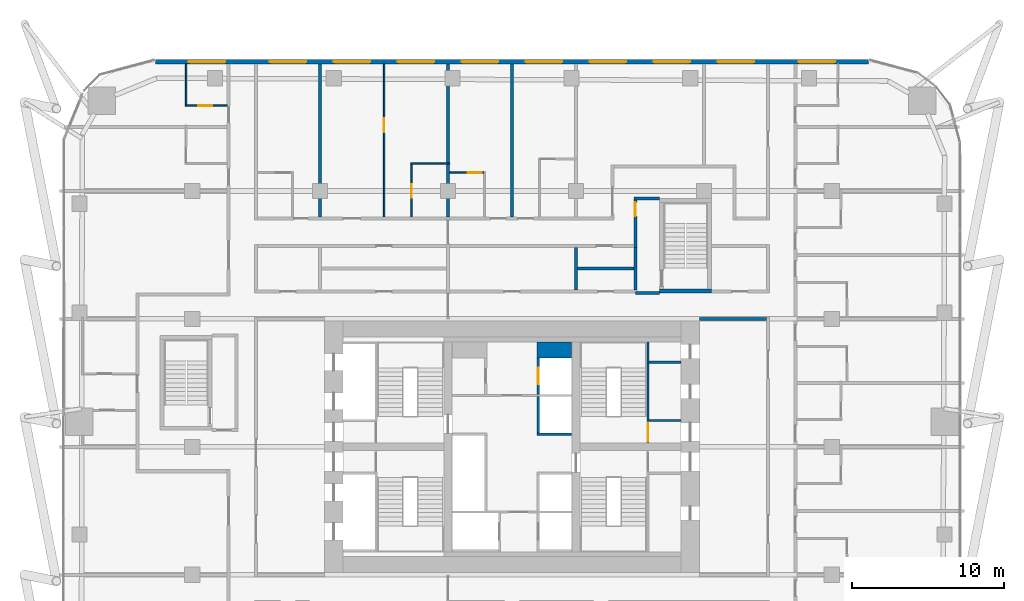
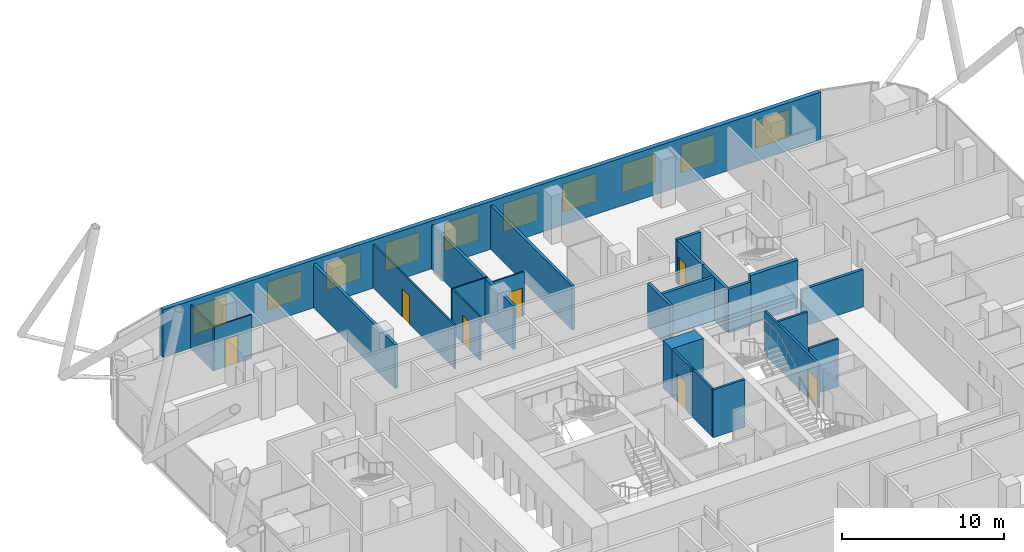
# One storey, part 33 of 36: 25 walls, 10 windows, 7 doors, 17 openings.
"""IFC4 building model written with IfcOpenShell, lengths in metres."""

from ifc_helpers import new_model, si_unit, direction, frame, frame_2d, origin, place, context, subcontext, project, spatial, rectangle, extrude, material, layer, layer_set, type_object, element, fill, save


model = new_model("IFC4")

# Units and contexts
model_context = context("Model", 3, precision=1e-05, world=origin(), true_north=direction((0.0, 1.0)))
body_context = subcontext(model_context, "Body", "Model", "MODEL_VIEW")
ifc_project = project(units=[si_unit("LENGTHUNIT", "METRE"), si_unit("AREAUNIT", "SQUARE_METRE"), si_unit("VOLUMEUNIT", "CUBIC_METRE"), si_unit("PLANEANGLEUNIT", "RADIAN"), si_unit("MASSUNIT", "GRAM", prefix="KILO")], contexts=[model_context])

# Site, building, storey
site_placement = place(None, origin())
site = spatial("IfcSite", under=ifc_project, at=site_placement, CompositionType="ELEMENT")
building_placement = place(site_placement, origin())
building = spatial("IfcBuilding", under=site, at=building_placement, Name="Marenta Gate Hotel Tower", CompositionType="ELEMENT")
storey_placement = place(building_placement, frame((0.0, 0.0, 83.300048828125)))
storey = spatial("IfcBuildingStorey", under=building, at=storey_placement, Name="L19", CompositionType="ELEMENT", Elevation=83.300048828125)

# Wall, openings, windows
ifc_material_1 = material(Name="Concrete C40 board-marked", Category="concrete")
ifc_layer_1 = layer(ifc_material_1, 0.300048828125)
ifc_layer_set_1 = layer_set([ifc_layer_1], Name="Concrete C40 board-marked")
wall_type_1 = type_object("IfcWallType", Name="Board-marked concrete wall 300 mm", PredefinedType="NOTDEFINED", material=ifc_layer_set_1)
wall_1_placement = place(storey_placement, frame((23.406005859375, 33.68994140625, 0.0), z_axis=(0.0, 0.0, 1.0), x_axis=(-1.0, 0.0, 0.0)))
wall_1 = element("IfcWall", 1, at=wall_1_placement, inside=storey, type_object=wall_type_1, Name="L19-CLD-N00", PredefinedType="NOTDEFINED", context=body_context, shape_type="SweptSolid", body=[
    extrude(rectangle(XDim=46.81201171875, YDim=0.300048828125, at=frame_2d((23.406005859375, 0.0))), origin(), (0.0, 0.0, 1.0), 3.599853515625),
])
opening_1_placement = place(wall_1_placement, frame((2.185791015625, 0.0, 0.89990234375)))
opening_1 = element("IfcOpeningElement", 2, at=opening_1_placement, cuts=wall_1, Name="Opening W1", PredefinedType="OPENING", context=body_context, shape_type="SweptSolid", body=[
    extrude(rectangle(XDim=2.39990234375, YDim=2.10009765625, at=frame_2d((1.199951171875, 1.050048828125))), frame((0.0, 0.14990234375, 0.0), z_axis=(0.0, -1.0, 0.0), x_axis=(1.0, 0.0, 0.0)), (0.0, 0.0, 1.0), 0.300048828125),
])
opening_2_placement = place(wall_1_placement, frame((7.505859375, 0.0, 0.89990234375)))
opening_2 = element("IfcOpeningElement", 3, at=opening_2_placement, cuts=wall_1, Name="Opening W1", PredefinedType="OPENING", context=body_context, shape_type="SweptSolid", body=[
    extrude(rectangle(XDim=2.39990234375, YDim=2.10009765625, at=frame_2d((1.199951171875, 1.050048828125))), frame((0.0, 0.14990234375, 0.0), z_axis=(0.0, -1.0, 0.0), x_axis=(1.0, 0.0, 0.0)), (0.0, 0.0, 1.0), 0.300048828125),
])
opening_3_placement = place(wall_1_placement, frame((11.705810546875, 0.0, 0.89990234375)))
opening_3 = element("IfcOpeningElement", 4, at=opening_3_placement, cuts=wall_1, Name="Opening W1", PredefinedType="OPENING", context=body_context, shape_type="SweptSolid", body=[
    extrude(rectangle(XDim=2.39990234375, YDim=2.10009765625, at=frame_2d((1.199951171875, 1.050048828125))), frame((0.0, 0.14990234375, 0.0), z_axis=(0.0, -1.0, 0.0), x_axis=(1.0, 0.0, 0.0)), (0.0, 0.0, 1.0), 0.300048828125),
])
opening_4_placement = place(wall_1_placement, frame((15.906005859375, 0.0, 0.89990234375)))
opening_4 = element("IfcOpeningElement", 5, at=opening_4_placement, cuts=wall_1, Name="Opening W1", PredefinedType="OPENING", context=body_context, shape_type="SweptSolid", body=[
    extrude(rectangle(XDim=2.39990234375, YDim=2.10009765625, at=frame_2d((1.199951171875, 1.050048828125))), frame((0.0, 0.14990234375, 0.0), z_axis=(0.0, -1.0, 0.0), x_axis=(1.0, 0.0, 0.0)), (0.0, 0.0, 1.0), 0.300048828125),
])
opening_5_placement = place(wall_1_placement, frame((20.10595703125, 0.0, 0.89990234375)))
opening_5 = element("IfcOpeningElement", 6, at=opening_5_placement, cuts=wall_1, Name="Opening W1", PredefinedType="OPENING", context=body_context, shape_type="SweptSolid", body=[
    extrude(rectangle(XDim=2.39990234375, YDim=2.10009765625, at=frame_2d((1.199951171875, 1.050048828125))), frame((0.0, 0.14990234375, 0.0), z_axis=(0.0, -1.0, 0.0), x_axis=(1.0, 0.0, 0.0)), (0.0, 0.0, 1.0), 0.300048828125),
])
opening_6_placement = place(wall_1_placement, frame((24.305908203125, 0.0, 0.89990234375)))
opening_6 = element("IfcOpeningElement", 7, at=opening_6_placement, cuts=wall_1, Name="Opening W1", PredefinedType="OPENING", context=body_context, shape_type="SweptSolid", body=[
    extrude(rectangle(XDim=2.39990234375, YDim=2.10009765625, at=frame_2d((1.199951171875, 1.050048828125))), frame((0.0, 0.14990234375, 0.0), z_axis=(0.0, -1.0, 0.0), x_axis=(1.0, 0.0, 0.0)), (0.0, 0.0, 1.0), 0.300048828125),
])
opening_7_placement = place(wall_1_placement, frame((28.505859375, 0.0, 0.89990234375)))
opening_7 = element("IfcOpeningElement", 8, at=opening_7_placement, cuts=wall_1, Name="Opening W1", PredefinedType="OPENING", context=body_context, shape_type="SweptSolid", body=[
    extrude(rectangle(XDim=2.39990234375, YDim=2.10009765625, at=frame_2d((1.199951171875, 1.050048828125))), frame((0.0, 0.14990234375, 0.0), z_axis=(0.0, -1.0, 0.0), x_axis=(1.0, 0.0, 0.0)), (0.0, 0.0, 1.0), 0.300048828125),
])
opening_8_placement = place(wall_1_placement, frame((32.705810546875, 0.0, 0.89990234375)))
opening_8 = element("IfcOpeningElement", 9, at=opening_8_placement, cuts=wall_1, Name="Opening W1", PredefinedType="OPENING", context=body_context, shape_type="SweptSolid", body=[
    extrude(rectangle(XDim=2.39990234375, YDim=2.10009765625, at=frame_2d((1.199951171875, 1.050048828125))), frame((0.0, 0.14990234375, 0.0), z_axis=(0.0, -1.0, 0.0), x_axis=(1.0, 0.0, 0.0)), (0.0, 0.0, 1.0), 0.300048828125),
])
opening_9_placement = place(wall_1_placement, frame((36.906005859375, 0.0, 0.89990234375)))
opening_9 = element("IfcOpeningElement", 10, at=opening_9_placement, cuts=wall_1, Name="Opening W1", PredefinedType="OPENING", context=body_context, shape_type="SweptSolid", body=[
    extrude(rectangle(XDim=2.39990234375, YDim=2.10009765625, at=frame_2d((1.199951171875, 1.050048828125))), frame((0.0, 0.14990234375, 0.0), z_axis=(0.0, -1.0, 0.0), x_axis=(1.0, 0.0, 0.0)), (0.0, 0.0, 1.0), 0.300048828125),
])
opening_10_placement = place(wall_1_placement, frame((42.225830078125, 0.0, 0.89990234375)))
opening_10 = element("IfcOpeningElement", 11, at=opening_10_placement, cuts=wall_1, Name="Opening W1", PredefinedType="OPENING", context=body_context, shape_type="SweptSolid", body=[
    extrude(rectangle(XDim=2.39990234375, YDim=2.10009765625, at=frame_2d((1.199951171875, 1.050048828125))), frame((0.0, 0.14990234375, 0.0), z_axis=(0.0, -1.0, 0.0), x_axis=(1.0, 0.0, 0.0)), (0.0, 0.0, 1.0), 0.300048828125),
])
ifc_material_2 = material(Name="Tinted insulated glass in bronze anodised frame", Category="glass")
window_type = type_object("IfcWindowType", Name="Window W1 2400x2100 bronze frame", PartitioningType="SINGLE_PANEL", PredefinedType="WINDOW", material=ifc_material_2)
window_1_placement = place(opening_1_placement, origin())
window_1 = element("IfcWindow", 12, at=window_1_placement, inside=storey, type_object=window_type, Name="Window W1", OverallHeight=2.10009765625, OverallWidth=2.39990234375, PartitioningType="SINGLE_PANEL", PredefinedType="WINDOW", context=body_context, shape_type="SweptSolid", body=[
    extrude(rectangle(XDim=2.39990234375, YDim=2.10009765625, at=frame_2d((1.199951171875, 1.050048828125))), frame((0.0, 0.030029296875, 0.0), z_axis=(0.0, -1.0, 0.0), x_axis=(1.0, 0.0, 0.0)), (0.0, 0.0, 1.0), 0.06005859375),
])
fill(opening_1, window_1)
window_2_placement = place(opening_2_placement, origin())
window_2 = element("IfcWindow", 13, at=window_2_placement, inside=storey, type_object=window_type, Name="Window W1", OverallHeight=2.10009765625, OverallWidth=2.39990234375, PartitioningType="SINGLE_PANEL", PredefinedType="WINDOW", context=body_context, shape_type="SweptSolid", body=[
    extrude(rectangle(XDim=2.39990234375, YDim=2.10009765625, at=frame_2d((1.199951171875, 1.050048828125))), frame((0.0, 0.030029296875, 0.0), z_axis=(0.0, -1.0, 0.0), x_axis=(1.0, 0.0, 0.0)), (0.0, 0.0, 1.0), 0.06005859375),
])
fill(opening_2, window_2)
window_3_placement = place(opening_3_placement, origin())
window_3 = element("IfcWindow", 14, at=window_3_placement, inside=storey, type_object=window_type, Name="Window W1", OverallHeight=2.10009765625, OverallWidth=2.39990234375, PartitioningType="SINGLE_PANEL", PredefinedType="WINDOW", context=body_context, shape_type="SweptSolid", body=[
    extrude(rectangle(XDim=2.39990234375, YDim=2.10009765625, at=frame_2d((1.199951171875, 1.050048828125))), frame((0.0, 0.030029296875, 0.0), z_axis=(0.0, -1.0, 0.0), x_axis=(1.0, 0.0, 0.0)), (0.0, 0.0, 1.0), 0.06005859375),
])
fill(opening_3, window_3)
window_4_placement = place(opening_4_placement, origin())
window_4 = element("IfcWindow", 15, at=window_4_placement, inside=storey, type_object=window_type, Name="Window W1", OverallHeight=2.10009765625, OverallWidth=2.39990234375, PartitioningType="SINGLE_PANEL", PredefinedType="WINDOW", context=body_context, shape_type="SweptSolid", body=[
    extrude(rectangle(XDim=2.39990234375, YDim=2.10009765625, at=frame_2d((1.199951171875, 1.050048828125))), frame((0.0, 0.030029296875, 0.0), z_axis=(0.0, -1.0, 0.0), x_axis=(1.0, 0.0, 0.0)), (0.0, 0.0, 1.0), 0.06005859375),
])
fill(opening_4, window_4)
window_5_placement = place(opening_5_placement, origin())
window_5 = element("IfcWindow", 16, at=window_5_placement, inside=storey, type_object=window_type, Name="Window W1", OverallHeight=2.10009765625, OverallWidth=2.39990234375, PartitioningType="SINGLE_PANEL", PredefinedType="WINDOW", context=body_context, shape_type="SweptSolid", body=[
    extrude(rectangle(XDim=2.39990234375, YDim=2.10009765625, at=frame_2d((1.199951171875, 1.050048828125))), frame((0.0, 0.030029296875, 0.0), z_axis=(0.0, -1.0, 0.0), x_axis=(1.0, 0.0, 0.0)), (0.0, 0.0, 1.0), 0.06005859375),
])
fill(opening_5, window_5)
window_6_placement = place(opening_6_placement, origin())
window_6 = element("IfcWindow", 17, at=window_6_placement, inside=storey, type_object=window_type, Name="Window W1", OverallHeight=2.10009765625, OverallWidth=2.39990234375, PartitioningType="SINGLE_PANEL", PredefinedType="WINDOW", context=body_context, shape_type="SweptSolid", body=[
    extrude(rectangle(XDim=2.39990234375, YDim=2.10009765625, at=frame_2d((1.199951171875, 1.050048828125))), frame((0.0, 0.030029296875, 0.0), z_axis=(0.0, -1.0, 0.0), x_axis=(1.0, 0.0, 0.0)), (0.0, 0.0, 1.0), 0.06005859375),
])
fill(opening_6, window_6)
window_7_placement = place(opening_7_placement, origin())
window_7 = element("IfcWindow", 18, at=window_7_placement, inside=storey, type_object=window_type, Name="Window W1", OverallHeight=2.10009765625, OverallWidth=2.39990234375, PartitioningType="SINGLE_PANEL", PredefinedType="WINDOW", context=body_context, shape_type="SweptSolid", body=[
    extrude(rectangle(XDim=2.39990234375, YDim=2.10009765625, at=frame_2d((1.199951171875, 1.050048828125))), frame((0.0, 0.030029296875, 0.0), z_axis=(0.0, -1.0, 0.0), x_axis=(1.0, 0.0, 0.0)), (0.0, 0.0, 1.0), 0.06005859375),
])
fill(opening_7, window_7)
window_8_placement = place(opening_8_placement, origin())
window_8 = element("IfcWindow", 19, at=window_8_placement, inside=storey, type_object=window_type, Name="Window W1", OverallHeight=2.10009765625, OverallWidth=2.39990234375, PartitioningType="SINGLE_PANEL", PredefinedType="WINDOW", context=body_context, shape_type="SweptSolid", body=[
    extrude(rectangle(XDim=2.39990234375, YDim=2.10009765625, at=frame_2d((1.199951171875, 1.050048828125))), frame((0.0, 0.030029296875, 0.0), z_axis=(0.0, -1.0, 0.0), x_axis=(1.0, 0.0, 0.0)), (0.0, 0.0, 1.0), 0.06005859375),
])
fill(opening_8, window_8)
window_9_placement = place(opening_9_placement, origin())
window_9 = element("IfcWindow", 20, at=window_9_placement, inside=storey, type_object=window_type, Name="Window W1", OverallHeight=2.10009765625, OverallWidth=2.39990234375, PartitioningType="SINGLE_PANEL", PredefinedType="WINDOW", context=body_context, shape_type="SweptSolid", body=[
    extrude(rectangle(XDim=2.39990234375, YDim=2.10009765625, at=frame_2d((1.199951171875, 1.050048828125))), frame((0.0, 0.030029296875, 0.0), z_axis=(0.0, -1.0, 0.0), x_axis=(1.0, 0.0, 0.0)), (0.0, 0.0, 1.0), 0.06005859375),
])
fill(opening_9, window_9)
window_10_placement = place(opening_10_placement, origin())
window_10 = element("IfcWindow", 21, at=window_10_placement, inside=storey, type_object=window_type, Name="Window W1", OverallHeight=2.10009765625, OverallWidth=2.39990234375, PartitioningType="SINGLE_PANEL", PredefinedType="WINDOW", context=body_context, shape_type="SweptSolid", body=[
    extrude(rectangle(XDim=2.39990234375, YDim=2.10009765625, at=frame_2d((1.199951171875, 1.050048828125))), frame((0.0, 0.030029296875, 0.0), z_axis=(0.0, -1.0, 0.0), x_axis=(1.0, 0.0, 0.0)), (0.0, 0.0, 1.0), 0.06005859375),
])
fill(opening_10, window_10)

# Walls
ifc_material_3 = material(Name="Concrete blockwork", Category="masonry")
ifc_layer_2 = layer(ifc_material_3, 0.199951171875)
ifc_layer_set_2 = layer_set([ifc_layer_2], Name="Concrete blockwork")
wall_type_2 = type_object("IfcWallType", Name="Compartment wall 200 REI 180", PredefinedType="PARTITIONING", material=ifc_layer_set_2)
wall_2_placement = place(storey_placement, frame((-4.199951171875, 23.5, 0.0), z_axis=(0.0, 0.0, 1.0), x_axis=(0.0, 1.0, 0.0)))
element("IfcWall", 22, at=wall_2_placement, inside=storey, type_object=wall_type_2, Name="L19-PTN-W080", PredefinedType="PARTITIONING", context=body_context, shape_type="SweptSolid", body=[
    extrude(rectangle(XDim=10.0400390625, YDim=0.199951171875, at=frame_2d((5.02001953125, 0.0))), origin(), (0.0, 0.0, 1.0), 3.300048828125),
])
ifc_material_4 = material(Name="Concrete blockwork", Category="masonry")
ifc_layer_3 = layer(ifc_material_4, 0.199951171875)
ifc_layer_set_3 = layer_set([ifc_layer_3], Name="Concrete blockwork")
wall_type_3 = type_object("IfcWallType", Name="Core boundary wall 200 REI 180", PredefinedType="PARTITIONING", material=ifc_layer_set_3)
wall_3_placement = place(storey_placement, frame((12.300048828125, 16.800048828125, 0.0), z_axis=(0.0, 0.0, 1.0), x_axis=(1.0, 0.0, 0.0)))
element("IfcWall", 23, at=wall_3_placement, inside=storey, type_object=wall_type_3, Name="L19-CP-EW-EN", PredefinedType="PARTITIONING", context=body_context, shape_type="SweptSolid", body=[
    extrude(rectangle(XDim=4.39990234375, YDim=0.199951171875, at=frame_2d((2.199951171875, 0.0))), origin(), (0.0, 0.0, 1.0), 2.800048828125),
])
ifc_material_5 = material(Name="Concrete blockwork", Category="masonry")
ifc_layer_4 = layer(ifc_material_5, 0.14990234375)
ifc_layer_set_4 = layer_set([ifc_layer_4], Name="Concrete blockwork")
wall_type_4 = type_object("IfcWallType", Name="Core room partition 150 REI 180", PredefinedType="PARTITIONING", material=ifc_layer_set_4)
wall_4_placement = place(storey_placement, frame((9.0, 10.125, 0.0), z_axis=(0.0, 0.0, 1.0), x_axis=(1.0, 0.0, 0.0)))
element("IfcWall", 24, at=wall_4_placement, inside=storey, type_object=wall_type_4, Name="L19-CP-SW-EN-2", PredefinedType="PARTITIONING", context=body_context, shape_type="SweptSolid", body=[
    extrude(rectangle(XDim=2.10009765625, YDim=0.14990234375, at=frame_2d((1.050048828125, 0.0))), origin(), (0.0, 0.0, 1.0), 3.599853515625),
])
wall_5_placement = place(storey_placement, frame((9.0, 13.949951171875, 0.0), z_axis=(0.0, 0.0, 1.0), x_axis=(1.0, 0.0, 0.0)))
element("IfcWall", 25, at=wall_5_placement, inside=storey, type_object=wall_type_4, Name="L19-CP-RW-EN-1", PredefinedType="PARTITIONING", context=body_context, shape_type="SweptSolid", body=[
    extrude(rectangle(XDim=2.10009765625, YDim=0.14990234375, at=frame_2d((1.050048828125, 0.0))), origin(), (0.0, 0.0, 1.0), 3.300048828125),
])
ifc_material_6 = material(Name="Concrete C40", Category="concrete")
ifc_layer_5 = layer(ifc_material_6, 1.050048828125)
ifc_layer_set_5 = layer_set([ifc_layer_5], Name="Concrete C40")
wall_type_5 = type_object("IfcWallType", Name="Core shaft wall 1050 REI 180", PredefinedType="SHEAR", material=ifc_layer_set_5)
wall_6_placement = place(storey_placement, frame((1.64990234375, 14.77490234375, 0.0), z_axis=(0.0, 0.0, 1.0), x_axis=(1.0, 0.0, 0.0)))
element("IfcWall", 26, at=wall_6_placement, inside=storey, type_object=wall_type_5, Name="L19-SHF-CE-N-top", PredefinedType="SHEAR", context=body_context, shape_type="SweptSolid", body=[
    extrude(rectangle(XDim=2.25, YDim=1.050048828125, at=frame_2d((1.125, 0.0))), origin(), (0.0, 0.0, 1.0), 3.599853515625),
])

# Wall, opening, door
ifc_material_7 = material(Name="Concrete C40", Category="concrete")
ifc_layer_6 = layer(ifc_material_7, 0.14990234375)
ifc_layer_set_6 = layer_set([ifc_layer_6], Name="Concrete C40")
wall_type_6 = type_object("IfcWallType", Name="Core shaft wall 150 REI 180", PredefinedType="SHEAR", material=ifc_layer_set_6)
wall_7_placement = place(storey_placement, frame((1.72509765625, 11.85009765625, 0.0), z_axis=(0.0, 0.0, 1.0), x_axis=(0.0, 1.0, 0.0)))
wall_7 = element("IfcWall", 27, at=wall_7_placement, inside=storey, type_object=wall_type_6, Name="L19-SHF-CE-N-front2", PredefinedType="SHEAR", context=body_context, shape_type="SweptSolid", body=[
    extrude(rectangle(XDim=2.39990234375, YDim=0.14990234375, at=frame_2d((1.199951171875, 0.0))), origin(), (0.0, 0.0, 1.0), 3.599853515625),
])
opening_11_placement = place(wall_7_placement, frame((0.64990234375, 0.0, 0.0)))
opening_11 = element("IfcOpeningElement", 28, at=opening_11_placement, cuts=wall_7, Name="Opening LD-FF2", PredefinedType="OPENING", context=body_context, shape_type="SweptSolid", body=[
    extrude(rectangle(XDim=1.10009765625, YDim=2.10009765625, at=frame_2d((0.550048828125, 1.050048828125))), frame((0.0, 0.074951171875, 0.0), z_axis=(0.0, -1.0, 0.0), x_axis=(1.0, 0.0, 0.0)), (0.0, 0.0, 1.0), 0.14990234375),
])
ifc_material_8 = material(Name="Steel", Category="steel")
door_type_1 = type_object("IfcDoorType", Name="Core lift landing door 1100x2100 E 60", OperationType="SLIDING_TO_LEFT", PredefinedType="DOOR", material=ifc_material_8)
door_1_placement = place(opening_11_placement, origin())
door_1 = element("IfcDoor", 29, at=door_1_placement, inside=storey, type_object=door_type_1, Name="LD-FF2", OperationType="SLIDING_TO_LEFT", OverallHeight=2.10009765625, OverallWidth=1.10009765625, PredefinedType="DOOR", context=body_context, shape_type="SweptSolid", body=[
    extrude(rectangle(XDim=1.10009765625, YDim=2.10009765625, at=frame_2d((0.550048828125, 1.050048828125))), frame((0.0, 0.02490234375, 0.0), z_axis=(0.0, -1.0, 0.0), x_axis=(1.0, 0.0, 0.0)), (0.0, 0.0, 1.0), 0.050048828125),
])
fill(opening_11, door_1)

# Walls
wall_8_placement = place(storey_placement, frame((1.64990234375, 9.22509765625, 0.0), z_axis=(0.0, 0.0, 1.0), x_axis=(1.0, 0.0, 0.0)))
element("IfcWall", 30, at=wall_8_placement, inside=storey, type_object=wall_type_6, Name="L19-SHF-CE-sep2", PredefinedType="SHEAR", context=body_context, shape_type="SweptSolid", body=[
    extrude(rectangle(XDim=2.25, YDim=0.14990234375, at=frame_2d((1.125, 0.0))), origin(), (0.0, 0.0, 1.0), 3.599853515625),
])
wall_9_placement = place(storey_placement, frame((1.72509765625, 9.300048828125, 0.0), z_axis=(0.0, 0.0, 1.0), x_axis=(0.0, 1.0, 0.0)))
element("IfcWall", 31, at=wall_9_placement, inside=storey, type_object=wall_type_6, Name="L19-SHF-CE-front-2", PredefinedType="SHEAR", context=body_context, shape_type="SweptSolid", body=[
    extrude(rectangle(XDim=2.39990234375, YDim=0.14990234375, at=frame_2d((1.199951171875, 0.0))), origin(), (0.0, 0.0, 1.0), 3.599853515625),
])

# Wall, opening, door
ifc_material_9 = material(Name="Concrete C40", Category="concrete")
ifc_layer_7 = layer(ifc_material_9, 0.14990234375)
ifc_layer_set_7 = layer_set([ifc_layer_7], Name="Concrete C40")
wall_type_7 = type_object("IfcWallType", Name="Core stair enclosure wall 150 REI 180", PredefinedType="SHEAR", material=ifc_layer_set_7)
wall_10_placement = place(storey_placement, frame((8.925048828125, 8.699951171875, 0.0), z_axis=(0.0, 0.0, 1.0), x_axis=(0.0, 1.0, 0.0)))
wall_10 = element("IfcWall", 32, at=wall_10_placement, inside=storey, type_object=wall_type_7, Name="L19-SHF-SW-EN-3", PredefinedType="SHEAR", context=body_context, shape_type="SweptSolid", body=[
    extrude(rectangle(XDim=6.60009765625, YDim=0.14990234375, at=frame_2d((3.300048828125, 0.0))), origin(), (0.0, 0.0, 1.0), 3.300048828125),
])
opening_12_placement = place(wall_10_placement, frame((0.074951171875, 0.0, 0.0)))
opening_12 = element("IfcOpeningElement", 33, at=opening_12_placement, cuts=wall_10, Name="Opening SD-EN", PredefinedType="OPENING", context=body_context, shape_type="SweptSolid", body=[
    extrude(rectangle(XDim=1.199951171875, YDim=2.10009765625, at=frame_2d((0.60009765625, 1.050048828125))), frame((0.0, 0.074951171875, 0.0), z_axis=(0.0, -1.0, 0.0), x_axis=(1.0, 0.0, 0.0)), (0.0, 0.0, 1.0), 0.14990234375),
])
ifc_material_10 = material(Name="Steel", Category="steel")
door_type_2 = type_object("IfcDoorType", Name="Core stair door 1200x2100 FD60", OperationType="SINGLE_SWING_LEFT", PredefinedType="DOOR", material=ifc_material_10)
door_2_placement = place(opening_12_placement, origin())
door_2 = element("IfcDoor", 34, at=door_2_placement, inside=storey, type_object=door_type_2, Name="SD-EN", OperationType="SINGLE_SWING_LEFT", OverallHeight=2.10009765625, OverallWidth=1.199951171875, PredefinedType="DOOR", context=body_context, shape_type="SweptSolid", body=[
    extrude(rectangle(XDim=1.199951171875, YDim=2.10009765625, at=frame_2d((0.60009765625, 1.050048828125))), frame((0.0, 0.02490234375, 0.0), z_axis=(0.0, -1.0, 0.0), x_axis=(1.0, 0.0, 0.0)), (0.0, 0.0, 1.0), 0.050048828125),
])
fill(opening_12, door_2)

# Wall
ifc_material_11 = material(Name="Concrete C40", Category="concrete")
ifc_layer_8 = layer(ifc_material_11, 0.25)
ifc_layer_set_8 = layer_set([ifc_layer_8], Name="Concrete C40")
wall_type_8 = type_object("IfcWallType", Name="Remote stair enclosure wall 250 REI 180", PredefinedType="SHEAR", material=ifc_layer_set_8)
wall_11_placement = place(storey_placement, frame((9.699951171875, 18.625, 0.099853515625), z_axis=(0.0, 0.0, 1.0), x_axis=(1.0, 0.0, 0.0)))
element("IfcWall", 35, at=wall_11_placement, inside=storey, type_object=wall_type_8, Name="L19-RS-Z1-4-W1", PredefinedType="SHEAR", context=body_context, shape_type="SweptSolid", body=[
    extrude(rectangle(XDim=3.400146484375, YDim=0.25, at=frame_2d((1.7001953125, 0.0))), origin(), (0.0, 0.0, 1.0), 3.60009765625),
])

# Wall, opening, door
ifc_material_12 = material(Name="Concrete blockwork", Category="masonry")
ifc_layer_9 = layer(ifc_material_12, 0.199951171875)
ifc_layer_set_9 = layer_set([ifc_layer_9], Name="Concrete blockwork")
wall_type_9 = type_object("IfcWallType", Name="Room corridor wall 200 REI 180", PredefinedType="PARTITIONING", material=ifc_layer_set_9)
wall_12_placement = place(storey_placement, frame((8.10009765625, 21.5, 0.0), z_axis=(0.0, 0.0, 1.0), x_axis=(0.0, 1.0, 0.0)))
wall_12 = element("IfcWall", 36, at=wall_12_placement, inside=storey, type_object=wall_type_9, Name="L19-PTN-W049", PredefinedType="PARTITIONING", context=body_context, shape_type="SweptSolid", body=[
    extrude(rectangle(XDim=3.10009765625, YDim=0.199951171875, at=frame_2d((1.550048828125, 0.0))), origin(), (0.0, 0.0, 1.0), 3.300048828125),
])
opening_13_placement = place(wall_12_placement, frame((2.050048828125, 0.0, 0.0)))
opening_13 = element("IfcOpeningElement", 37, at=opening_13_placement, cuts=wall_12, Name="Opening G07-67", PredefinedType="OPENING", context=body_context, shape_type="SweptSolid", body=[
    extrude(rectangle(XDim=0.89990234375, YDim=2.10009765625, at=frame_2d((0.449951171875, 1.050048828125))), frame((0.0, 0.10009765625, 0.0), z_axis=(0.0, -1.0, 0.0), x_axis=(1.0, 0.0, 0.0)), (0.0, 0.0, 1.0), 0.199951171875),
])
ifc_material_13 = material(Name="Hollow steel door set", Category="steel")
door_type_3 = type_object("IfcDoorType", Name="Stair vestibule door 900x2100 EI 60", OperationType="NOTDEFINED", PredefinedType="DOOR", material=ifc_material_13)
door_3_placement = place(opening_13_placement, origin())
door_3 = element("IfcDoor", 38, at=door_3_placement, inside=storey, type_object=door_type_3, Name="L19-PD-D067", OperationType="SINGLE_SWING_LEFT", OverallHeight=2.10009765625, OverallWidth=0.89990234375, PredefinedType="DOOR", context=body_context, shape_type="SweptSolid", body=[
    extrude(rectangle(XDim=0.89990234375, YDim=2.10009765625, at=frame_2d((0.449951171875, 1.050048828125))), frame((0.0, 0.02490234375, 0.0), z_axis=(0.0, -1.0, 0.0), x_axis=(1.0, 0.0, 0.0)), (0.0, 0.0, 1.0), 0.050048828125),
])
fill(opening_13, door_3)

# Walls
wall_13_placement = place(storey_placement, frame((8.10009765625, 18.5, 0.0), z_axis=(0.0, 0.0, 1.0), x_axis=(1.0, 0.0, 0.0)))
element("IfcWall", 39, at=wall_13_placement, inside=storey, type_object=wall_type_9, Name="L19-PTN-W115", PredefinedType="PARTITIONING", context=body_context, shape_type="SweptSolid", body=[
    extrude(rectangle(XDim=1.599853515625, YDim=0.199951171875, at=frame_2d((0.7998046875, 0.0))), origin(), (0.0, 0.0, 1.0), 3.300048828125),
])
wall_14_placement = place(storey_placement, frame((8.0, 24.699951171875, 0.0), z_axis=(0.0, 0.0, 1.0), x_axis=(1.0, 0.0, 0.0)))
element("IfcWall", 40, at=wall_14_placement, inside=storey, type_object=wall_type_9, Name="L19-PTN-W134", PredefinedType="PARTITIONING", context=body_context, shape_type="SweptSolid", body=[
    extrude(rectangle(XDim=1.699951171875, YDim=0.199951171875, at=frame_2d((0.85009765625, 0.0))), origin(), (0.0, 0.0, 1.0), 3.300048828125),
])

# Wall, opening, door
ifc_material_14 = material(Name="Gypsum board on steel stud", Category="steel")
ifc_layer_10 = layer(ifc_material_14, 0.10009765625)
ifc_layer_set_10 = layer_set([ifc_layer_10], Name="Gypsum board on steel stud")
wall_type_10 = type_object("IfcWallType", Name="Room partition 100", PredefinedType="PARTITIONING", material=ifc_layer_set_10)
wall_15_placement = place(storey_placement, frame((-6.60009765625, 23.5, 0.0), z_axis=(0.0, 0.0, 1.0), x_axis=(0.0, 1.0, 0.0)))
wall_15 = element("IfcWall", 41, at=wall_15_placement, inside=storey, type_object=wall_type_10, Name="L19-PTN-W086", PredefinedType="PARTITIONING", context=body_context, shape_type="SweptSolid", body=[
    extrude(rectangle(XDim=3.449951171875, YDim=0.10009765625, at=frame_2d((1.72509765625, 0.0))), origin(), (0.0, 0.0, 1.0), 3.300048828125),
])
opening_14_placement = place(wall_15_placement, frame((1.25, 0.0, 0.0)))
opening_14 = element("IfcOpeningElement", 42, at=opening_14_placement, cuts=wall_15, Name="Opening G07-35", PredefinedType="OPENING", context=body_context, shape_type="SweptSolid", body=[
    extrude(rectangle(XDim=0.89990234375, YDim=2.10009765625, at=frame_2d((0.449951171875, 1.050048828125))), frame((0.0, 0.050048828125, 0.0), z_axis=(0.0, -1.0, 0.0), x_axis=(1.0, 0.0, 0.0)), (0.0, 0.0, 1.0), 0.10009765625),
])
ifc_material_15 = material(Name="Timber door leaf", Category="wood")
door_type_4 = type_object("IfcDoorType", Name="Guest bathroom door 900x2100", OperationType="NOTDEFINED", PredefinedType="DOOR", material=ifc_material_15)
door_4_placement = place(opening_14_placement, origin())
door_4 = element("IfcDoor", 43, at=door_4_placement, inside=storey, type_object=door_type_4, Name="L19-PD-D035", OperationType="SINGLE_SWING_RIGHT", OverallHeight=2.10009765625, OverallWidth=0.89990234375, PredefinedType="DOOR", context=body_context, shape_type="SweptSolid", body=[
    extrude(rectangle(XDim=0.89990234375, YDim=2.10009765625, at=frame_2d((0.449951171875, 1.050048828125))), frame((0.0, 0.02490234375, 0.0), z_axis=(0.0, -1.0, 0.0), x_axis=(1.0, 0.0, 0.0)), (0.0, 0.0, 1.0), 0.050048828125),
])
fill(opening_14, door_4)

wall_16_placement = place(storey_placement, frame((-8.39990234375, 23.5, 0.0), z_axis=(0.0, 0.0, 1.0), x_axis=(0.0, 1.0, 0.0)))
wall_16 = element("IfcWall", 44, at=wall_16_placement, inside=storey, type_object=wall_type_10, Name="L19-PTN-W088", PredefinedType="PARTITIONING", context=body_context, shape_type="SweptSolid", body=[
    extrude(rectangle(XDim=10.0400390625, YDim=0.10009765625, at=frame_2d((5.02001953125, 0.0))), origin(), (0.0, 0.0, 1.0), 3.300048828125),
])
opening_15_placement = place(wall_16_placement, frame((5.570068359375, 0.0, 0.0)))
opening_15 = element("IfcOpeningElement", 45, at=opening_15_placement, cuts=wall_16, Name="Opening G07-34", PredefinedType="OPENING", context=body_context, shape_type="SweptSolid", body=[
    extrude(rectangle(XDim=0.89990234375, YDim=2.10009765625, at=frame_2d((0.449951171875, 1.050048828125))), frame((0.0, 0.050048828125, 0.0), z_axis=(0.0, -1.0, 0.0), x_axis=(1.0, 0.0, 0.0)), (0.0, 0.0, 1.0), 0.10009765625),
])
ifc_material_16 = material(Name="Timber door leaf", Category="wood")
door_type_5 = type_object("IfcDoorType", Name="Room inner door 900x2100", OperationType="NOTDEFINED", PredefinedType="DOOR", material=ifc_material_16)
door_5_placement = place(opening_15_placement, origin())
door_5 = element("IfcDoor", 46, at=door_5_placement, inside=storey, type_object=door_type_5, Name="L19-PD-D034", OperationType="SINGLE_SWING_RIGHT", OverallHeight=2.10009765625, OverallWidth=0.89990234375, PredefinedType="DOOR", context=body_context, shape_type="SweptSolid", body=[
    extrude(rectangle(XDim=0.89990234375, YDim=2.10009765625, at=frame_2d((0.449951171875, 1.050048828125))), frame((0.0, 0.02490234375, 0.0), z_axis=(0.0, -1.0, 0.0), x_axis=(1.0, 0.0, 0.0)), (0.0, 0.0, 1.0), 0.050048828125),
])
fill(opening_15, door_5)

# Wall
wall_17_placement = place(storey_placement, frame((-21.39990234375, 30.75, 0.0), z_axis=(0.0, 0.0, 1.0), x_axis=(0.0, 1.0, 0.0)))
element("IfcWall", 47, at=wall_17_placement, inside=storey, type_object=wall_type_10, Name="L19-PTN-W125", PredefinedType="PARTITIONING", context=body_context, shape_type="SweptSolid", body=[
    extrude(rectangle(XDim=2.7900390625, YDim=0.10009765625, at=frame_2d((1.39501953125, 0.0))), origin(), (0.0, 0.0, 1.0), 3.300048828125),
])

# Wall, opening, door
wall_18_placement = place(storey_placement, frame((-4.10009765625, 26.39990234375, 0.0), z_axis=(0.0, 0.0, 1.0), x_axis=(1.0, 0.0, 0.0)))
wall_18 = element("IfcWall", 48, at=wall_18_placement, inside=storey, type_object=wall_type_10, Name="L19-PTN-W138", PredefinedType="PARTITIONING", context=body_context, shape_type="SweptSolid", body=[
    extrude(rectangle(XDim=2.25, YDim=0.10009765625, at=frame_2d((1.125, 0.0))), origin(), (0.0, 0.0, 1.0), 3.300048828125),
])
opening_16_placement = place(wall_18_placement, frame((1.199951171875, 0.0, 0.0)))
opening_16 = element("IfcOpeningElement", 49, at=opening_16_placement, cuts=wall_18, Name="Opening G07-37", PredefinedType="OPENING", context=body_context, shape_type="SweptSolid", body=[
    extrude(rectangle(XDim=0.89990234375, YDim=2.10009765625, at=frame_2d((0.449951171875, 1.050048828125))), frame((0.0, 0.050048828125, 0.0), z_axis=(0.0, -1.0, 0.0), x_axis=(1.0, 0.0, 0.0)), (0.0, 0.0, 1.0), 0.10009765625),
])
door_6_placement = place(opening_16_placement, origin())
door_6 = element("IfcDoor", 50, at=door_6_placement, inside=storey, type_object=door_type_4, Name="L19-PD-D037", OperationType="SINGLE_SWING_LEFT", OverallHeight=2.10009765625, OverallWidth=0.89990234375, PredefinedType="DOOR", context=body_context, shape_type="SweptSolid", body=[
    extrude(rectangle(XDim=0.89990234375, YDim=2.10009765625, at=frame_2d((0.449951171875, 1.050048828125))), frame((0.0, 0.02490234375, 0.0), z_axis=(0.0, -1.0, 0.0), x_axis=(1.0, 0.0, 0.0)), (0.0, 0.0, 1.0), 0.050048828125),
])
fill(opening_16, door_6)

# Wall
wall_19_placement = place(storey_placement, frame((-6.64990234375, 27.0, 0.0), z_axis=(0.0, 0.0, 1.0), x_axis=(1.0, 0.0, 0.0)))
element("IfcWall", 51, at=wall_19_placement, inside=storey, type_object=wall_type_10, Name="L19-PTN-W141", PredefinedType="PARTITIONING", context=body_context, shape_type="SweptSolid", body=[
    extrude(rectangle(XDim=2.5498046875, YDim=0.10009765625, at=frame_2d((1.27490234375, 0.0))), origin(), (0.0, 0.0, 1.0), 3.300048828125),
])

# Wall, opening, door
wall_20_placement = place(storey_placement, frame((-21.35009765625, 30.800048828125, 0.0), z_axis=(0.0, 0.0, 1.0), x_axis=(1.0, 0.0, 0.0)))
wall_20 = element("IfcWall", 52, at=wall_20_placement, inside=storey, type_object=wall_type_10, Name="L19-PTN-W148", PredefinedType="PARTITIONING", context=body_context, shape_type="SweptSolid", body=[
    extrude(rectangle(XDim=2.650146484375, YDim=0.10009765625, at=frame_2d((1.3251953125, 0.0))), origin(), (0.0, 0.0, 1.0), 3.300048828125),
])
opening_17_placement = place(wall_20_placement, frame((0.760009765625, 0.0, 0.0)))
opening_17 = element("IfcOpeningElement", 53, at=opening_17_placement, cuts=wall_20, Name="Opening G07-63", PredefinedType="OPENING", context=body_context, shape_type="SweptSolid", body=[
    extrude(rectangle(XDim=0.89990234375, YDim=2.10009765625, at=frame_2d((0.449951171875, 1.050048828125))), frame((0.0, 0.050048828125, 0.0), z_axis=(0.0, -1.0, 0.0), x_axis=(1.0, 0.0, 0.0)), (0.0, 0.0, 1.0), 0.10009765625),
])
door_7_placement = place(opening_17_placement, origin())
door_7 = element("IfcDoor", 54, at=door_7_placement, inside=storey, type_object=door_type_4, Name="L19-PD-D063", OperationType="SINGLE_SWING_LEFT", OverallHeight=2.10009765625, OverallWidth=0.89990234375, PredefinedType="DOOR", context=body_context, shape_type="SweptSolid", body=[
    extrude(rectangle(XDim=0.89990234375, YDim=2.10009765625, at=frame_2d((0.449951171875, 1.050048828125))), frame((0.0, 0.02490234375, 0.0), z_axis=(0.0, -1.0, 0.0), x_axis=(1.0, 0.0, 0.0)), (0.0, 0.0, 1.0), 0.050048828125),
])
fill(opening_17, door_7)

# Walls
ifc_material_17 = material(Name="Gypsum board on steel stud", Category="steel")
ifc_layer_11 = layer(ifc_material_17, 0.199951171875)
ifc_layer_set_11 = layer_set([ifc_layer_11], Name="Gypsum board on steel stud")
wall_type_11 = type_object("IfcWallType", Name="Room party wall 200 EI 60", PredefinedType="PARTITIONING", material=ifc_layer_set_11)
wall_21_placement = place(storey_placement, frame((4.199951171875, 18.699951171875, 0.0), z_axis=(0.0, 0.0, 1.0), x_axis=(0.0, 1.0, 0.0)))
element("IfcWall", 55, at=wall_21_placement, inside=storey, type_object=wall_type_11, Name="L19-PTN-W059", PredefinedType="PARTITIONING", context=body_context, shape_type="SweptSolid", body=[
    extrude(rectangle(XDim=2.800048828125, YDim=0.199951171875, at=frame_2d((1.39990234375, 0.0))), origin(), (0.0, 0.0, 1.0), 3.300048828125),
])
for number, where, z_axis, x_axis, name in (
    (56, (0.0, 23.5, 0.0), (0.0, 0.0, 1.0), (0.0, 1.0, 0.0), "L19-PTN-W072"),
    (57, (-12.60009765625, 23.5, 0.0), (0.0, 0.0, 1.0), (0.0, 1.0, 0.0), "L19-PTN-W098"),
):
    element("IfcWall", number, at=place(storey_placement, frame(where, z_axis=z_axis, x_axis=x_axis)), inside=storey, type_object=wall_type_11, Name=name, PredefinedType="PARTITIONING", context=body_context, shape_type="SweptSolid", body=[
        extrude(rectangle(XDim=10.0400390625, YDim=0.199951171875, at=frame_2d((5.02001953125, 0.0))), origin(), (0.0, 0.0, 1.0), 3.300048828125),
    ])
wall_22_placement = place(storey_placement, frame((4.300048828125, 20.10009765625, 0.0), z_axis=(0.0, 0.0, 1.0), x_axis=(1.0, 0.0, 0.0)))
element("IfcWall", 58, at=wall_22_placement, inside=storey, type_object=wall_type_11, Name="L19-PTN-W122", PredefinedType="PARTITIONING", context=body_context, shape_type="SweptSolid", body=[
    extrude(rectangle(XDim=3.699951171875, YDim=0.199951171875, at=frame_2d((1.85009765625, 0.0))), origin(), (0.0, 0.0, 1.0), 3.300048828125),
])
ifc_material_18 = material(Name="Concrete blockwork", Category="masonry")
ifc_layer_12 = layer(ifc_material_18, 0.199951171875)
ifc_layer_set_12 = layer_set([ifc_layer_12], Name="Concrete blockwork")
wall_type_12 = type_object("IfcWallType", Name="Room party wall 200 REI 180", PredefinedType="PARTITIONING", material=ifc_layer_set_12)
wall_23_placement = place(storey_placement, frame((8.10009765625, 18.699951171875, 0.0), z_axis=(0.0, 0.0, 1.0), x_axis=(0.0, 1.0, 0.0)))
element("IfcWall", 59, at=wall_23_placement, inside=storey, type_object=wall_type_12, Name="L19-PTN-W048", PredefinedType="PARTITIONING", context=body_context, shape_type="SweptSolid", body=[
    extrude(rectangle(XDim=2.800048828125, YDim=0.199951171875, at=frame_2d((1.39990234375, 0.0))), origin(), (0.0, 0.0, 1.0), 3.300048828125),
])

save(model, "model.ifc")
